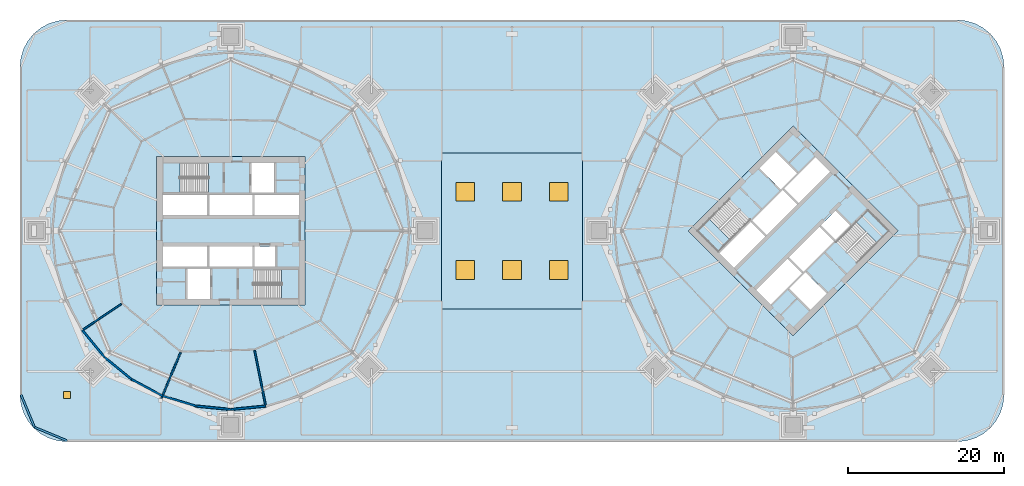
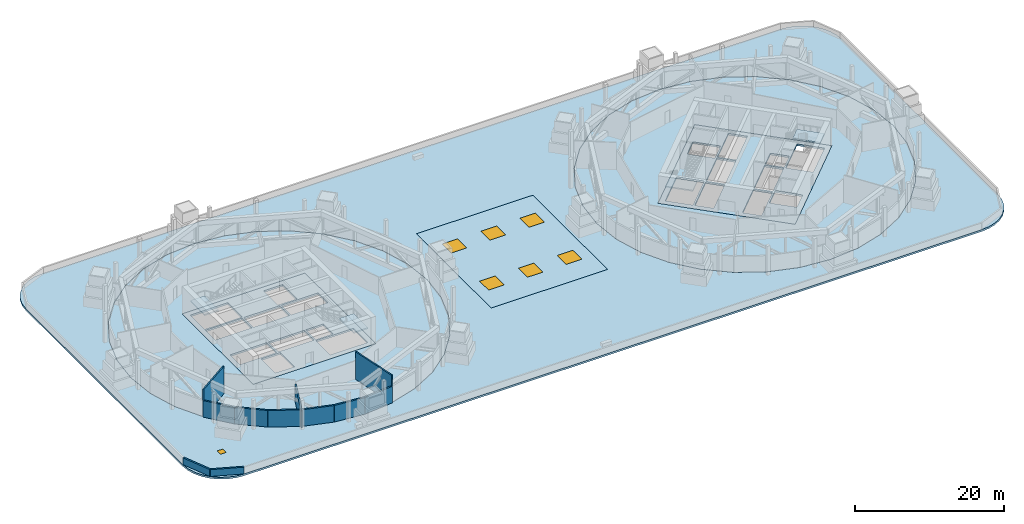
# One storey, part 10 of 21: 11 walls, 10 slabs, 6 windows, 1 door, 7 openings, 4 elements without a shape of their own.
"""IFC4 building model written with IfcOpenShell, lengths in metres."""

import ifcopenshell
import ifcopenshell.guid

model = None  # the IFC model being written
_history = None  # IfcOwnerHistory: only IFC2X3 demands one
_inside = {}  # id of a spatial element -> (the spatial element, [elements in it])
_under = {}  # id of a project, library or spatial element -> (it, [spatial elements below it])
_declared = {}  # id of a project -> (the project, [libraries it declares])
_typed = {}  # id of a type object -> (the type object, [elements of that type])
_made_of = {}  # id of a material, layer set ... -> (it, [elements and type objects made of it])


def new_model(schema):
    """Start an empty IFC model of exactly this schema.

    Asked for "IFC4X3", IfcOpenShell would pick the latest addendum, in which some entities
    have other attributes; the version numbers below select the first issue.
    IFC2X3 requires an IfcOwnerHistory on every rooted entity: one is made here for all.
    """
    global model, _history
    if schema == "IFC4X3":
        model = ifcopenshell.file(schema_version=(4, 3, 0, 0))
    else:
        model = ifcopenshell.file(schema=schema)
    _inside.clear()
    _under.clear()
    _declared.clear()
    _typed.clear()
    _made_of.clear()
    _history = None
    if model.schema == "IFC2X3":
        org = make("IfcOrganization", Name="unknown")
        user = make(
            "IfcPersonAndOrganization",
            ThePerson=make("IfcPerson", FamilyName="unknown"),
            TheOrganization=org,
        )
        app = make(
            "IfcApplication",
            ApplicationDeveloper=org,
            Version="unknown",
            ApplicationFullName="unknown",
            ApplicationIdentifier="unknown",
        )
        _history = make(
            "IfcOwnerHistory",
            OwningUser=user,
            OwningApplication=app,
            ChangeAction="ADDED",
            CreationDate=0,
        )
    return model


def make(cls, **values):
    """One entity of the class cls with the attributes given. An attribute that is None is left unset."""
    return model.create_entity(
        cls, **{name: value for name, value in values.items() if value is not None}
    )


def rooted(cls, **values):
    """An entity with a GlobalId (a new one), such as an element, a storey or a relation."""
    return make(cls, GlobalId=ifcopenshell.guid.new(), OwnerHistory=_history, **values)


def si_unit(unit_type, name, prefix=None):
    """IfcSIUnit, for example si_unit("LENGTHUNIT", "METRE", prefix="MILLI")."""
    return make("IfcSIUnit", UnitType=unit_type, Prefix=prefix, Name=name)


def assignment(units):
    """IfcUnitAssignment: the units of a project."""
    return None if units is None else make("IfcUnitAssignment", Units=units)


def point(xyz):
    """IfcCartesianPoint."""
    return None if xyz is None else make("IfcCartesianPoint", Coordinates=xyz)


def direction(xyz):
    """IfcDirection."""
    return None if xyz is None else make("IfcDirection", DirectionRatios=xyz)


def frame(location, z_axis=None, x_axis=None):
    """IfcAxis2Placement3D, a coordinate frame: its origin and axes. An axis left out is left unset."""
    return make(
        "IfcAxis2Placement3D",
        Location=point(location),
        Axis=direction(z_axis),
        RefDirection=direction(x_axis),
    )


def frame_2d(location, x_axis=None):
    """IfcAxis2Placement2D, a coordinate frame in the plane: its origin and x axis."""
    return make(
        "IfcAxis2Placement2D", Location=point(location), RefDirection=direction(x_axis)
    )


def origin():
    """The frame at (0, 0, 0) with its axes left unset."""
    return frame((0.0, 0.0, 0.0))


def origin_2d():
    """The frame at (0, 0) in the plane with its x axis left unset."""
    return frame_2d((0.0, 0.0))


def place(relative_to, where):
    """IfcLocalPlacement: puts the frame where relative to a parent placement (None: the world)."""
    return make(
        "IfcLocalPlacement", PlacementRelTo=relative_to, RelativePlacement=where
    )


def context(
    kind, dimensions, precision=None, world=None, true_north=None, identifier=None
):
    """IfcGeometricRepresentationContext, for example the 3D "Model" context."""
    return make(
        "IfcGeometricRepresentationContext",
        ContextIdentifier=identifier,
        ContextType=kind,
        CoordinateSpaceDimension=dimensions,
        Precision=precision,
        WorldCoordinateSystem=world,
        TrueNorth=true_north,
    )


def subcontext(parent, identifier, kind, view, scale=None):
    """IfcGeometricRepresentationSubContext, for example "Body" below "Model"."""
    return make(
        "IfcGeometricRepresentationSubContext",
        ContextIdentifier=identifier,
        ContextType=kind,
        ParentContext=parent,
        TargetScale=scale,
        TargetView=view,
    )


def project(units=None, contexts=None):
    """IfcProject with its units and contexts."""
    return rooted(
        "IfcProject",
        Name="project",
        RepresentationContexts=contexts,
        UnitsInContext=assignment(units),
    )


def spatial(cls, under=None, at=None, **own):
    """A site, building, storey or space (cls), placed at a placement, below another one or the project."""
    s = rooted(cls, ObjectPlacement=at, **own)
    if under is not None:
        _under.setdefault(under.id(), (under, []))[1].append(s)
    return s


def polyline(points):
    """IfcPolyline through the points."""
    return make("IfcPolyline", Points=[point(p) for p in points])


def profile(cls, at=None, kind="AREA", **sizes):
    """A parametric profile (cls). Its sizes go by their IFC names, for example OverallWidth=200.0."""
    return make(cls, ProfileType=kind, Position=at, **sizes)


def rectangle(**sizes):
    """IfcRectangleProfileDef."""
    return profile("IfcRectangleProfileDef", **sizes)


def outline(outer, holes=None, kind="AREA"):
    """IfcArbitraryClosedProfileDef: a profile drawn as a closed curve; with holes, ...WithVoids."""
    if holes is None:
        return make("IfcArbitraryClosedProfileDef", ProfileType=kind, OuterCurve=outer)
    return make(
        "IfcArbitraryProfileDefWithVoids",
        ProfileType=kind,
        OuterCurve=outer,
        InnerCurves=holes,
    )


def extrude(swept, where, along, depth):
    """IfcExtrudedAreaSolid: the profile swept, set in the frame where, extruded along a direction by depth."""
    return make(
        "IfcExtrudedAreaSolid",
        SweptArea=swept,
        Position=where,
        ExtrudedDirection=direction(along),
        Depth=depth,
    )


def shape(context_of_items, identifier, shape_type, items):
    """IfcShapeRepresentation: the items that make up one representation, for example the "Body"."""
    return make(
        "IfcShapeRepresentation",
        ContextOfItems=context_of_items,
        RepresentationIdentifier=identifier,
        RepresentationType=shape_type,
        Items=items,
    )


def material(Name=None, Category=None):
    """IfcMaterial."""
    return make("IfcMaterial", Name=Name, Category=Category)


def layer(
    of_material, thickness, ventilated=None, Name=None, Category=None, Priority=None
):
    """IfcMaterialLayer: one layer of a wall or slab, of a material (None: an air gap)."""
    return make(
        "IfcMaterialLayer",
        Material=of_material,
        LayerThickness=thickness,
        IsVentilated=ventilated,
        Name=Name,
        Category=Category,
        Priority=Priority,
    )


def layer_set(layers, Name=None):
    """IfcMaterialLayerSet."""
    return make("IfcMaterialLayerSet", MaterialLayers=layers, LayerSetName=Name)


def made_of(thing, what):
    """Note that an element or type object is made of a material, layer set ...; save() writes the relation."""
    if what is not None:
        _made_of.setdefault(what.id(), (what, []))[1].append(thing)
    return thing


def type_object(cls, material=None, **own):
    """A type object (cls), such as IfcWallType, which elements share."""
    return made_of(rooted(cls, **own), material)


def element(
    cls,
    number,
    at=None,
    inside=None,
    cuts=None,
    type_object=None,
    material=None,
    context=None,
    identifier="Body",
    shape_type=None,
    held_by="IfcProductDefinitionShape",
    body=None,
    shapes=None,
    **own,
):
    """One element of the class cls, such as IfcWall. Its Tag is "e" and its number.

    at: its placement. inside: the storey or other place that contains it. cuts: it is an
    opening in that element (IfcRelVoidsElement). A single representation is given by context,
    identifier, shape_type and body (its items); several are given by shapes. held_by: the class
    of the entity that holds the representations. save() writes the other relations.
    """
    e = rooted(cls, Tag="e%d" % number, ObjectPlacement=at, **own)
    if body is not None:
        shapes = [shape(context, identifier, shape_type, body)]
    if shapes is not None:
        e.Representation = make(held_by, Representations=shapes)
    if inside is not None:
        _inside.setdefault(inside.id(), (inside, []))[1].append(e)
    if cuts is not None:
        rooted(
            "IfcRelVoidsElement", RelatingBuildingElement=cuts, RelatedOpeningElement=e
        )
    if type_object is not None:
        _typed.setdefault(type_object.id(), (type_object, []))[1].append(e)
    return made_of(e, material)


def fill(opening, filler):
    """IfcRelFillsElement: the door or window that sits in an opening."""
    return rooted(
        "IfcRelFillsElement",
        RelatingOpeningElement=opening,
        RelatedBuildingElement=filler,
    )


def aggregate(whole, parts):
    """IfcRelAggregates: a whole, such as a stair, and the parts it consists of."""
    return rooted("IfcRelAggregates", RelatingObject=whole, RelatedObjects=parts)


def save(model, path):
    """Write the relations noted so far, then the file.

    IfcRelAggregates (storeys below a building ...), IfcRelContainedInSpatialStructure (elements
    in a storey), IfcRelDefinesByType, IfcRelAssociatesMaterial and IfcRelDeclares: one each for
    every whole, place, type object, material and project.
    """
    for whole, parts in _under.values():
        aggregate(whole, parts)
    for where, things in _inside.values():
        rooted(
            "IfcRelContainedInSpatialStructure",
            RelatedElements=things,
            RelatingStructure=where,
        )
    for kind, things in _typed.values():
        rooted("IfcRelDefinesByType", RelatedObjects=things, RelatingType=kind)
    for what, things in _made_of.values():
        rooted("IfcRelAssociatesMaterial", RelatedObjects=things, RelatingMaterial=what)
    for by, libraries in _declared.values():
        rooted("IfcRelDeclares", RelatingContext=by, RelatedDefinitions=libraries)
    model.write(path)


model = new_model("IFC4")

# Units and contexts
model_context = context("Model", 3, precision=1e-05, world=origin(), true_north=direction((0.0, 1.0)))
body_context = subcontext(model_context, "Body", "Model", "MODEL_VIEW")
ifc_project = project(units=[si_unit("LENGTHUNIT", "METRE"), si_unit("AREAUNIT", "SQUARE_METRE"), si_unit("VOLUMEUNIT", "CUBIC_METRE"), si_unit("PLANEANGLEUNIT", "RADIAN"), si_unit("MASSUNIT", "GRAM", prefix="KILO")], contexts=[model_context])

# Site, building, storey
site_placement = place(None, origin())
site = spatial("IfcSite", under=ifc_project, at=site_placement, CompositionType="ELEMENT")
building_placement = place(site_placement, origin())
building = spatial("IfcBuilding", under=site, at=building_placement, Name="Ogive Gate Towers", CompositionType="ELEMENT")
storey_placement = place(building_placement, frame((0.0, 0.0, 27.60009765625)))
storey = spatial("IfcBuildingStorey", under=building, at=storey_placement, Name="L05", CompositionType="ELEMENT", Elevation=27.60009765625)

# Slabs
ifc_material_1 = material(Name="Concrete C40/50", Category="concrete")
ifc_layer_1 = layer(ifc_material_1, 0.300048828125)
ifc_layer_set_1 = layer_set([ifc_layer_1], Name="Core slab C40/50 300 mm")
slab_type_1 = type_object("IfcSlabType", Name="Core slab C40/50 300 mm", PredefinedType="FLOOR", material=ifc_layer_set_1)
slab_1_placement = place(storey_placement, frame((0.0, 0.0, -0.300048828125)))
element("IfcSlab", 1, at=slab_1_placement, inside=storey, type_object=slab_type_1, Name="T1 L05 core slab", PredefinedType="FLOOR", context=body_context, shape_type="SweptSolid", body=[
    extrude(outline(polyline([(-26.5, 9.5), (-26.5, -9.5), (-45.5, -9.5), (-45.5, 9.5), (-26.5, 9.5)]), holes=[polyline([(-39.02490234375, 4.625), (-44.699951171875, 4.625), (-44.699951171875, 2.0), (-39.02490234375, 2.0), (-39.02490234375, 4.625)]), polyline([(-33.22509765625, 2.0), (-33.22509765625, 4.625), (-38.77490234375, 4.625), (-38.77490234375, 2.0), (-33.22509765625, 2.0)]), polyline([(-32.97509765625, 2.0), (-27.300048828125, 2.0), (-27.300048828125, 4.625), (-32.97509765625, 4.625), (-32.97509765625, 2.0)]), polyline([(-44.699951171875, -2.0), (-44.699951171875, -4.625), (-39.02490234375, -4.625), (-39.02490234375, -2.0), (-44.699951171875, -2.0)]), polyline([(-33.22509765625, -2.0), (-38.77490234375, -2.0), (-38.77490234375, -4.625), (-33.22509765625, -4.625), (-33.22509765625, -2.0)]), polyline([(-30.324951171875, -4.625), (-30.324951171875, -2.0), (-32.97509765625, -2.0), (-32.97509765625, -4.625), (-30.324951171875, -4.625)]), polyline([(-33.375, 4.875), (-30.425048828125, 4.875), (-30.425048828125, 8.699951171875), (-33.375, 8.699951171875), (-33.375, 4.875)]), polyline([(-41.574951171875, -4.875), (-41.574951171875, -8.699951171875), (-38.625, -8.699951171875), (-38.625, -4.875), (-41.574951171875, -4.875)]), polyline([(-44.699951171875, 4.875), (-38.885009765625, 4.875), (-38.885009765625, 8.699951171875), (-44.699951171875, 8.699951171875), (-44.699951171875, 4.875)]), polyline([(-27.300048828125, -8.699951171875), (-27.300048828125, -4.875), (-33.114990234375, -4.875), (-33.114990234375, -8.699951171875), (-27.300048828125, -8.699951171875)])]), origin(), (0.0, 0.0, 1.0), 0.300048828125),
])
slab_2_placement = place(storey_placement, frame((0.0, 0.0, -0.300048828125)))
element("IfcSlab", 2, at=slab_2_placement, inside=storey, type_object=slab_type_1, Name="T2 L05 core slab", PredefinedType="FLOOR", context=body_context, shape_type="SweptSolid", body=[
    extrude(outline(polyline([(36.0, 13.43505859375), (49.43505859375, 0.0), (36.0, -13.43505859375), (22.56494140625, 0.0), (36.0, 13.43505859375)]), holes=[polyline([(30.590576171875, 1.13134765625), (26.577880859375, -2.881591796875), (28.43408203125, -4.737548828125), (32.44677734375, -0.724853515625), (30.590576171875, 1.13134765625)]), polyline([(36.548095703125, 3.37646484375), (34.69189453125, 5.232666015625), (30.767333984375, 1.30810546875), (32.62353515625, -0.548095703125), (36.548095703125, 3.37646484375)]), polyline([(36.724853515625, 3.55322265625), (40.737548828125, 7.56591796875), (38.881591796875, 9.422119140625), (34.86865234375, 5.409423828125), (36.724853515625, 3.55322265625)]), polyline([(31.262451171875, -7.56591796875), (33.118408203125, -9.422119140625), (37.13134765625, -5.409423828125), (35.275146484375, -3.55322265625), (31.262451171875, -7.56591796875)]), polyline([(39.37646484375, 0.548095703125), (35.451904296875, -3.37646484375), (37.30810546875, -5.232666015625), (41.232666015625, -1.30810546875), (39.37646484375, 0.548095703125)]), polyline([(43.283203125, 0.742431640625), (41.427001953125, 2.5986328125), (39.55322265625, 0.724853515625), (41.409423828125, -1.13134765625), (43.283203125, 0.742431640625)]), polyline([(34.408935546875, 5.30322265625), (36.4951171875, 7.389404296875), (33.790283203125, 10.093994140625), (31.704345703125, 8.008056640625), (34.408935546875, 5.30322265625)]), polyline([(35.5048828125, -7.389404296875), (38.209716796875, -10.093994140625), (40.295654296875, -8.008056640625), (37.591064453125, -5.30322265625), (35.5048828125, -7.389404296875)]), polyline([(26.40087890625, -2.70458984375), (30.512939453125, 1.406982421875), (27.80810546875, 4.11181640625), (23.6962890625, 0.0), (26.40087890625, -2.70458984375)]), polyline([(48.3037109375, 0.0), (45.59912109375, 2.70458984375), (41.487060546875, -1.406982421875), (44.19189453125, -4.11181640625), (48.3037109375, 0.0)])]), origin(), (0.0, 0.0, 1.0), 0.300048828125),
])
ifc_material_2 = material(Name="Concrete C35/45", Category="concrete")
ifc_layer_2 = layer(ifc_material_2, 0.300048828125)
ifc_layer_set_2 = layer_set([ifc_layer_2], Name="Floor slab 300")
slab_type_2 = type_object("IfcSlabType", Name="Floor slab 300", PredefinedType="FLOOR", material=ifc_layer_set_2)
slab_3_placement = place(storey_placement, frame((0.0, 0.0, -0.300048828125)))
element("IfcSlab", 3, at=slab_3_placement, inside=storey, type_object=slab_type_2, Name="T1/L05/SSL001", PredefinedType="FLOOR", context=body_context, shape_type="SweptSolid", body=[
    extrude(outline(polyline([(-13.5400390625, -4.467529296875), (-13.10009765625, 0.0), (-13.5400390625, 4.467529296875), (-14.84326171875, 8.763427734375), (-16.959228515625, 12.72265625), (-19.807373046875, 16.192626953125), (-23.27734375, 19.040771484375), (-27.236572265625, 21.15673828125), (-31.532470703125, 22.4599609375), (-36.0, 22.89990234375), (-40.467529296875, 22.4599609375), (-44.763427734375, 21.15673828125), (-48.72265625, 19.040771484375), (-52.192626953125, 16.192626953125), (-55.040771484375, 12.72265625), (-57.15673828125, 8.763427734375), (-58.4599609375, 4.467529296875), (-58.89990234375, 0.0), (-58.4599609375, -4.467529296875), (-57.15673828125, -8.763427734375), (-55.040771484375, -12.72265625), (-52.192626953125, -16.192626953125), (-48.72265625, -19.040771484375), (-44.763427734375, -21.15673828125), (-40.467529296875, -22.4599609375), (-36.0, -22.89990234375), (-31.532470703125, -22.4599609375), (-27.236572265625, -21.15673828125), (-23.27734375, -19.040771484375), (-19.807373046875, -16.192626953125), (-16.959228515625, -12.72265625), (-14.84326171875, -8.763427734375), (-13.5400390625, -4.467529296875)]), holes=[polyline([(-26.5, -9.5), (-45.5, -9.5), (-45.5, 9.5), (-26.5, 9.5), (-26.5, -9.5)])]), origin(), (0.0, 0.0, 1.0), 0.300048828125),
])
slab_4_placement = place(storey_placement, frame((0.0, 0.0, -0.300048828125)))
element("IfcSlab", 4, at=slab_4_placement, inside=storey, type_object=slab_type_2, Name="T2/L05/SSL001", PredefinedType="FLOOR", context=body_context, shape_type="SweptSolid", body=[
    extrude(outline(polyline([(58.4599609375, -4.467529296875), (58.89990234375, 0.0), (58.4599609375, 4.467529296875), (57.15673828125, 8.763427734375), (55.040771484375, 12.72265625), (52.192626953125, 16.192626953125), (48.72265625, 19.040771484375), (44.763427734375, 21.15673828125), (40.467529296875, 22.4599609375), (36.0, 22.89990234375), (31.532470703125, 22.4599609375), (27.236572265625, 21.15673828125), (23.27734375, 19.040771484375), (19.807373046875, 16.192626953125), (16.959228515625, 12.72265625), (14.84326171875, 8.763427734375), (13.5400390625, 4.467529296875), (13.10009765625, 0.0), (13.5400390625, -4.467529296875), (14.84326171875, -8.763427734375), (16.959228515625, -12.72265625), (19.807373046875, -16.192626953125), (23.27734375, -19.040771484375), (27.236572265625, -21.15673828125), (31.532470703125, -22.4599609375), (36.0, -22.89990234375), (40.467529296875, -22.4599609375), (44.763427734375, -21.15673828125), (48.72265625, -19.040771484375), (52.192626953125, -16.192626953125), (55.040771484375, -12.72265625), (57.15673828125, -8.763427734375), (58.4599609375, -4.467529296875)]), holes=[polyline([(49.43505859375, 0.0), (36.0, -13.43505859375), (22.56494140625, 0.0), (36.0, 13.43505859375), (49.43505859375, 0.0)])]), origin(), (0.0, 0.0, 1.0), 0.300048828125),
])

# Slab, opening, door
ifc_layer_3 = layer(ifc_material_2, 0.300048828125)
ifc_layer_set_3 = layer_set([ifc_layer_3], Name="Green roof slab 300")
slab_type_3 = type_object("IfcSlabType", Name="Green roof slab 300", PredefinedType="ROOF", material=ifc_layer_set_3)
slab_5_placement = place(storey_placement, frame((0.0, 0.0, -0.300048828125)))
slab_5 = element("IfcSlab", 5, at=slab_5_placement, inside=storey, type_object=slab_type_3, Name="PD/L05/SSL001", PredefinedType="ROOF", context=body_context, shape_type="SweptSolid", body=[
    extrude(outline(polyline([(-59.296142578125, -26.543212890625), (-58.170654296875, -26.884765625), (-57.0, -27.0), (57.0, -27.0), (58.170654296875, -26.884765625), (59.296142578125, -26.543212890625), (60.33349609375, -25.98876953125), (61.24267578125, -25.24267578125), (61.98876953125, -24.33349609375), (62.543212890625, -23.296142578125), (62.884765625, -22.170654296875), (63.0, -21.0), (63.0, 21.0), (62.884765625, 22.170654296875), (62.543212890625, 23.296142578125), (61.98876953125, 24.33349609375), (61.24267578125, 25.24267578125), (60.33349609375, 25.98876953125), (59.296142578125, 26.543212890625), (58.170654296875, 26.884765625), (57.0, 27.0), (-57.0, 27.0), (-58.170654296875, 26.884765625), (-59.296142578125, 26.543212890625), (-60.33349609375, 25.98876953125), (-61.24267578125, 25.24267578125), (-61.98876953125, 24.33349609375), (-62.543212890625, 23.296142578125), (-62.884765625, 22.170654296875), (-63.0, 21.0), (-63.0, -21.0), (-62.884765625, -22.170654296875), (-62.543212890625, -23.296142578125), (-61.98876953125, -24.33349609375), (-61.24267578125, -25.24267578125), (-60.33349609375, -25.98876953125), (-59.296142578125, -26.543212890625)]), holes=[polyline([(-14.84326171875, 8.763427734375), (-13.5400390625, 4.467529296875), (-13.10009765625, 0.0), (-13.5400390625, -4.467529296875), (-14.84326171875, -8.763427734375), (-16.959228515625, -12.72265625), (-19.807373046875, -16.192626953125), (-23.27734375, -19.040771484375), (-27.236572265625, -21.15673828125), (-31.532470703125, -22.4599609375), (-36.0, -22.89990234375), (-40.467529296875, -22.4599609375), (-44.763427734375, -21.15673828125), (-48.72265625, -19.040771484375), (-52.192626953125, -16.192626953125), (-55.040771484375, -12.72265625), (-57.15673828125, -8.763427734375), (-58.4599609375, -4.467529296875), (-58.89990234375, 0.0), (-58.4599609375, 4.467529296875), (-57.15673828125, 8.763427734375), (-55.040771484375, 12.72265625), (-52.192626953125, 16.192626953125), (-48.72265625, 19.040771484375), (-44.763427734375, 21.15673828125), (-40.467529296875, 22.4599609375), (-36.0, 22.89990234375), (-31.532470703125, 22.4599609375), (-27.236572265625, 21.15673828125), (-23.27734375, 19.040771484375), (-19.807373046875, 16.192626953125), (-16.959228515625, 12.72265625), (-14.84326171875, 8.763427734375)]), polyline([(57.15673828125, 8.763427734375), (58.4599609375, 4.467529296875), (58.89990234375, 0.0), (58.4599609375, -4.467529296875), (57.15673828125, -8.763427734375), (55.040771484375, -12.72265625), (52.192626953125, -16.192626953125), (48.72265625, -19.040771484375), (44.763427734375, -21.15673828125), (40.467529296875, -22.4599609375), (36.0, -22.89990234375), (31.532470703125, -22.4599609375), (27.236572265625, -21.15673828125), (23.27734375, -19.040771484375), (19.807373046875, -16.192626953125), (16.959228515625, -12.72265625), (14.84326171875, -8.763427734375), (13.5400390625, -4.467529296875), (13.10009765625, 0.0), (13.5400390625, 4.467529296875), (14.84326171875, 8.763427734375), (16.959228515625, 12.72265625), (19.807373046875, 16.192626953125), (23.27734375, 19.040771484375), (27.236572265625, 21.15673828125), (31.532470703125, 22.4599609375), (36.0, 22.89990234375), (40.467529296875, 22.4599609375), (44.763427734375, 21.15673828125), (48.72265625, 19.040771484375), (52.192626953125, 16.192626953125), (55.040771484375, 12.72265625), (57.15673828125, 8.763427734375)]), polyline([(9.0, 10.0), (9.0, -10.0), (-9.0, -10.0), (-9.0, 10.0), (9.0, 10.0)]), polyline([(-56.550048828125, -21.449951171875), (-57.449951171875, -21.449951171875), (-57.449951171875, -20.550048828125), (-56.550048828125, -20.550048828125), (-56.550048828125, -21.449951171875)])]), origin(), (0.0, 0.0, 1.0), 0.300048828125),
])
opening_1_placement = place(slab_5_placement, frame((-57.0, -21.0, -0.010009765625)))
opening_1 = element("IfcOpeningElement", 6, at=opening_1_placement, cuts=slab_5, Name="Opening ED6-L05-01", PredefinedType="OPENING", context=body_context, shape_type="SweptSolid", body=[
    extrude(rectangle(XDim=0.89990234375, YDim=0.89990234375, at=origin_2d()), origin(), (0.0, 0.0, 1.0), 0.320068359375),
])
ifc_material_3 = material(Name="Galvanised steel", Category="steel")
door_type = type_object("IfcDoorType", Name="Roof hatch 900 x 900", OperationType="NOTDEFINED", PredefinedType="TRAPDOOR", material=ifc_material_3)
door_placement = place(opening_1_placement, frame((0.0, 0.0, 0.260009765625)))
door = element("IfcDoor", 7, at=door_placement, inside=storey, type_object=door_type, Name="Roof hatch", OperationType="SINGLE_SWING_LEFT", OverallHeight=0.89990234375, OverallWidth=0.89990234375, PredefinedType="TRAPDOOR", context=body_context, shape_type="SweptSolid", body=[
    extrude(rectangle(XDim=0.89990234375, YDim=0.89990234375, at=origin_2d()), origin(), (0.0, 0.0, 1.0), 0.050048828125),
])
fill(opening_1, door)

# Slab, openings, windows
ifc_material_4 = material(Name="Reinforced concrete C40/50", Category="concrete")
ifc_layer_4 = layer(ifc_material_4, 0.300048828125)
ifc_layer_set_4 = layer_set([ifc_layer_4], Name="Nave roof")
slab_type_4 = type_object("IfcSlabType", Name="Nave roof", PredefinedType="ROOF", material=ifc_layer_set_4)
slab_6_placement = place(storey_placement, frame((0.0, 0.0, -0.300048828125)))
slab_6 = element("IfcSlab", 8, at=slab_6_placement, inside=storey, type_object=slab_type_4, Name="Nave roof", PredefinedType="ROOF", context=body_context, shape_type="SweptSolid", body=[
    extrude(outline(polyline([(-9.0, -10.0), (9.0, -10.0), (9.0, 10.0), (-9.0, 10.0), (-9.0, -10.0)])), origin(), (0.0, 0.0, 1.0), 0.300048828125),
])
opening_2_placement = place(slab_6_placement, frame((-6.0, -5.0, -0.010009765625)))
opening_2 = element("IfcOpeningElement", 9, at=opening_2_placement, cuts=slab_6, Name="Opening WN6", PredefinedType="OPENING", context=body_context, shape_type="SweptSolid", body=[
    extrude(rectangle(XDim=2.39990234375, YDim=2.39990234375, at=origin_2d()), origin(), (0.0, 0.0, 1.0), 0.320068359375),
])
opening_3_placement = place(slab_6_placement, frame((-6.0, 5.0, -0.010009765625)))
opening_3 = element("IfcOpeningElement", 10, at=opening_3_placement, cuts=slab_6, Name="Opening WN6", PredefinedType="OPENING", context=body_context, shape_type="SweptSolid", body=[
    extrude(rectangle(XDim=2.39990234375, YDim=2.39990234375, at=origin_2d()), origin(), (0.0, 0.0, 1.0), 0.320068359375),
])
opening_4_placement = place(slab_6_placement, frame((0.0, -5.0, -0.010009765625)))
opening_4 = element("IfcOpeningElement", 11, at=opening_4_placement, cuts=slab_6, Name="Opening WN6", PredefinedType="OPENING", context=body_context, shape_type="SweptSolid", body=[
    extrude(rectangle(XDim=2.39990234375, YDim=2.39990234375, at=origin_2d()), origin(), (0.0, 0.0, 1.0), 0.320068359375),
])
opening_5_placement = place(slab_6_placement, frame((0.0, 5.0, -0.010009765625)))
opening_5 = element("IfcOpeningElement", 12, at=opening_5_placement, cuts=slab_6, Name="Opening WN6", PredefinedType="OPENING", context=body_context, shape_type="SweptSolid", body=[
    extrude(rectangle(XDim=2.39990234375, YDim=2.39990234375, at=origin_2d()), origin(), (0.0, 0.0, 1.0), 0.320068359375),
])
opening_6_placement = place(slab_6_placement, frame((6.0, -5.0, -0.010009765625)))
opening_6 = element("IfcOpeningElement", 13, at=opening_6_placement, cuts=slab_6, Name="Opening WN6", PredefinedType="OPENING", context=body_context, shape_type="SweptSolid", body=[
    extrude(rectangle(XDim=2.39990234375, YDim=2.39990234375, at=origin_2d()), origin(), (0.0, 0.0, 1.0), 0.320068359375),
])
opening_7_placement = place(slab_6_placement, frame((6.0, 5.0, -0.010009765625)))
opening_7 = element("IfcOpeningElement", 14, at=opening_7_placement, cuts=slab_6, Name="Opening WN6", PredefinedType="OPENING", context=body_context, shape_type="SweptSolid", body=[
    extrude(rectangle(XDim=2.39990234375, YDim=2.39990234375, at=origin_2d()), origin(), (0.0, 0.0, 1.0), 0.320068359375),
])
ifc_material_5 = material(Name="Clear glass", Category="glass")
window_type = type_object("IfcWindowType", Name="Nave rooflight 2400 x 2400", PartitioningType="SINGLE_PANEL", PredefinedType="SKYLIGHT", material=ifc_material_5)
window_1_placement = place(opening_2_placement, frame((0.0, 0.0, 0.260009765625)))
window_1 = element("IfcWindow", 15, at=window_1_placement, inside=storey, type_object=window_type, Name="Nave rooflight", OverallHeight=2.39990234375, OverallWidth=2.39990234375, PartitioningType="SINGLE_PANEL", PredefinedType="SKYLIGHT", context=body_context, shape_type="SweptSolid", body=[
    extrude(rectangle(XDim=2.39990234375, YDim=2.39990234375, at=origin_2d()), origin(), (0.0, 0.0, 1.0), 0.050048828125),
])
fill(opening_2, window_1)
window_2_placement = place(opening_3_placement, frame((0.0, 0.0, 0.260009765625)))
window_2 = element("IfcWindow", 16, at=window_2_placement, inside=storey, type_object=window_type, Name="Nave rooflight", OverallHeight=2.39990234375, OverallWidth=2.39990234375, PartitioningType="SINGLE_PANEL", PredefinedType="SKYLIGHT", context=body_context, shape_type="SweptSolid", body=[
    extrude(rectangle(XDim=2.39990234375, YDim=2.39990234375, at=origin_2d()), origin(), (0.0, 0.0, 1.0), 0.050048828125),
])
fill(opening_3, window_2)
window_3_placement = place(opening_4_placement, frame((0.0, 0.0, 0.260009765625)))
window_3 = element("IfcWindow", 17, at=window_3_placement, inside=storey, type_object=window_type, Name="Nave rooflight", OverallHeight=2.39990234375, OverallWidth=2.39990234375, PartitioningType="SINGLE_PANEL", PredefinedType="SKYLIGHT", context=body_context, shape_type="SweptSolid", body=[
    extrude(rectangle(XDim=2.39990234375, YDim=2.39990234375, at=origin_2d()), origin(), (0.0, 0.0, 1.0), 0.050048828125),
])
fill(opening_4, window_3)
window_4_placement = place(opening_5_placement, frame((0.0, 0.0, 0.260009765625)))
window_4 = element("IfcWindow", 18, at=window_4_placement, inside=storey, type_object=window_type, Name="Nave rooflight", OverallHeight=2.39990234375, OverallWidth=2.39990234375, PartitioningType="SINGLE_PANEL", PredefinedType="SKYLIGHT", context=body_context, shape_type="SweptSolid", body=[
    extrude(rectangle(XDim=2.39990234375, YDim=2.39990234375, at=origin_2d()), origin(), (0.0, 0.0, 1.0), 0.050048828125),
])
fill(opening_5, window_4)
window_5_placement = place(opening_6_placement, frame((0.0, 0.0, 0.260009765625)))
window_5 = element("IfcWindow", 19, at=window_5_placement, inside=storey, type_object=window_type, Name="Nave rooflight", OverallHeight=2.39990234375, OverallWidth=2.39990234375, PartitioningType="SINGLE_PANEL", PredefinedType="SKYLIGHT", context=body_context, shape_type="SweptSolid", body=[
    extrude(rectangle(XDim=2.39990234375, YDim=2.39990234375, at=origin_2d()), origin(), (0.0, 0.0, 1.0), 0.050048828125),
])
fill(opening_6, window_5)
window_6_placement = place(opening_7_placement, frame((0.0, 0.0, 0.260009765625)))
window_6 = element("IfcWindow", 20, at=window_6_placement, inside=storey, type_object=window_type, Name="Nave rooflight", OverallHeight=2.39990234375, OverallWidth=2.39990234375, PartitioningType="SINGLE_PANEL", PredefinedType="SKYLIGHT", context=body_context, shape_type="SweptSolid", body=[
    extrude(rectangle(XDim=2.39990234375, YDim=2.39990234375, at=origin_2d()), origin(), (0.0, 0.0, 1.0), 0.050048828125),
])
fill(opening_7, window_6)

# Stair, slab
stair_type = type_object("IfcStairType", Name="Escape stair 1840 wide", PredefinedType="HALF_TURN_STAIR", material=ifc_material_1)
stair_1_placement = place(storey_placement, origin())
stair_1 = element("IfcStair", 21, at=stair_1_placement, inside=storey, type_object=stair_type, Name="L05 Escape stair 1", PredefinedType="HALF_TURN_STAIR")
ifc_layer_5 = layer(ifc_material_1, 0.199951171875)
ifc_layer_set_5 = layer_set([ifc_layer_5], Name="Stair landing 200 mm")
slab_type_5 = type_object("IfcSlabType", Name="Stair landing 200 mm", PredefinedType="LANDING", material=ifc_layer_set_5)
slab_7_placement = place(storey_placement, frame((0.0, 0.0, 2.199951171875)))
slab_7 = element("IfcSlab", 22, at=slab_7_placement, type_object=slab_type_5, Name="ST1 landing 1", PredefinedType="LANDING", context=body_context, shape_type="SweptSolid", body=[
    extrude(outline(polyline([(-42.5048828125, 8.699951171875), (-44.699951171875, 8.699951171875), (-44.699951171875, 4.875), (-42.5048828125, 4.875), (-42.5048828125, 8.699951171875)])), origin(), (0.0, 0.0, 1.0), 0.199951171875),
])
aggregate(stair_1, [slab_7])

stair_2_placement = place(storey_placement, origin())
stair_2 = element("IfcStair", 23, at=stair_2_placement, inside=storey, type_object=stair_type, Name="L05 Escape stair 2", PredefinedType="HALF_TURN_STAIR")
slab_8_placement = place(storey_placement, frame((0.0, 0.0, 2.199951171875)))
slab_8 = element("IfcSlab", 24, at=slab_8_placement, type_object=slab_type_5, Name="ST2 landing 1", PredefinedType="LANDING", context=body_context, shape_type="SweptSolid", body=[
    extrude(outline(polyline([(-29.4951171875, -8.699951171875), (-27.300048828125, -8.699951171875), (-27.300048828125, -4.875), (-29.4951171875, -4.875), (-29.4951171875, -8.699951171875)])), origin(), (0.0, 0.0, 1.0), 0.199951171875),
])
aggregate(stair_2, [slab_8])

stair_3_placement = place(storey_placement, origin())
stair_3 = element("IfcStair", 25, at=stair_3_placement, inside=storey, type_object=stair_type, Name="L05 Escape stair 1", PredefinedType="HALF_TURN_STAIR")
slab_9_placement = place(storey_placement, frame((0.0, 0.0, 2.199951171875)))
slab_9 = element("IfcSlab", 26, at=slab_9_placement, type_object=slab_type_5, Name="ST1 landing 1", PredefinedType="LANDING", context=body_context, shape_type="SweptSolid", body=[
    extrude(outline(polyline([(25.24853515625, 1.552001953125), (23.6962890625, 0.0), (26.401123046875, -2.70458984375), (27.953125, -1.152587890625), (25.24853515625, 1.552001953125)])), origin(), (0.0, 0.0, 1.0), 0.199951171875),
])
aggregate(stair_3, [slab_9])

stair_4_placement = place(storey_placement, origin())
stair_4 = element("IfcStair", 27, at=stair_4_placement, inside=storey, type_object=stair_type, Name="L05 Escape stair 2", PredefinedType="HALF_TURN_STAIR")
slab_10_placement = place(storey_placement, frame((0.0, 0.0, 2.199951171875)))
slab_10 = element("IfcSlab", 28, at=slab_10_placement, type_object=slab_type_5, Name="ST2 landing 1", PredefinedType="LANDING", context=body_context, shape_type="SweptSolid", body=[
    extrude(outline(polyline([(46.75146484375, -1.552001953125), (48.3037109375, 0.0), (45.598876953125, 2.70458984375), (44.046875, 1.152587890625), (46.75146484375, -1.552001953125)])), origin(), (0.0, 0.0, 1.0), 0.199951171875),
])
aggregate(stair_4, [slab_10])

# Walls
ifc_material_6 = material(Name="Fire-rated block compartment wall")
ifc_layer_6 = layer(ifc_material_6, 0.199951171875)
ifc_layer_set_6 = layer_set([ifc_layer_6], Name="Compartment wall 200")
wall_type_1 = type_object("IfcWallType", Name="Compartment wall 200", PredefinedType="PARTITIONING", material=ifc_layer_set_6)
wall_1_placement = place(storey_placement, frame((-55.040283203125, -12.722412109375, 0.0), z_axis=(0.0, 0.0, 1.0), x_axis=(0.831453729653, 0.555594002349, 0.0)))
element("IfcWall", 29, at=wall_1_placement, inside=storey, type_object=wall_type_1, Name="Partition T1-L05-008", PredefinedType="PARTITIONING", context=body_context, shape_type="SweptSolid", body=[
    extrude(rectangle(XDim=6.049072265625, YDim=0.199951171875, at=frame_2d((3.0244140625, 0.0))), origin(), (0.0, 0.0, 1.0), 4.5),
])
wall_2_placement = place(storey_placement, frame((-44.885986328125, -21.452880859375, 0.0), z_axis=(0.0, 0.0, 1.0), x_axis=(0.382663217178, 0.923887905657, 0.0)))
element("IfcWall", 30, at=wall_2_placement, inside=storey, type_object=wall_type_1, Name="Partition T1-L05-009", PredefinedType="PARTITIONING", context=body_context, shape_type="SweptSolid", body=[
    extrude(rectangle(XDim=6.369873046875, YDim=0.199951171875, at=frame_2d((3.18505859375, 0.0))), origin(), (0.0, 0.0, 1.0), 2.699951171875),
])
wall_3_placement = place(storey_placement, frame((-31.532470703125, -22.45947265625, 0.0), z_axis=(0.0, 0.0, 1.0), x_axis=(-0.195106138354, 0.980782134205, 0.0)))
element("IfcWall", 31, at=wall_3_placement, inside=storey, type_object=wall_type_1, Name="Partition T1-L05-010", PredefinedType="PARTITIONING", context=body_context, shape_type="SweptSolid", body=[
    extrude(rectangle(XDim=7.299072265625, YDim=0.199951171875, at=frame_2d((3.6494140625, 0.0))), origin(), (0.0, 0.0, 1.0), 4.5),
])
ifc_material_7 = material(Name="Precast concrete C40/50", Category="concrete")
ifc_layer_7 = layer(ifc_material_7, 0.25)
ifc_layer_set_7 = layer_set([ifc_layer_7], Name="Parapet wall 1100")
wall_type_2 = type_object("IfcWallType", Name="Parapet wall 1100", PredefinedType="PARAPET", material=ifc_layer_set_7)
for number, where, z_axis, x_axis, name in (
    (32, (-62.875, -20.97509765625, 0.0), (0.0, 0.0, 1.0), (0.382679678022, -0.923881087602, 0.0), "Parapet wall"),
    (33, (-61.14697265625, -25.14697265625, 0.0), (0.0, 0.0, 1.0), (0.923881087602, -0.382679678022, 0.0), "Parapet wall"),
):
    element("IfcWall", number, at=place(storey_placement, frame(where, z_axis=z_axis, x_axis=x_axis)), inside=storey, type_object=wall_type_2, Name=name, PredefinedType="PARAPET", context=body_context, shape_type="SweptSolid", body=[
        extrude(rectangle(XDim=4.515625, YDim=0.25, at=frame_2d((2.2578125, 0.0))), origin(), (0.0, 0.0, 1.0), 1.099853515625),
    ])
ifc_material_8 = material(Name="Pale metal aluminium louvre", Category="aluminium")
ifc_layer_8 = layer(ifc_material_8, 0.25)
ifc_layer_set_8 = layer_set([ifc_layer_8], Name="Plant louvre wall")
wall_type_3 = type_object("IfcWallType", Name="Plant louvre wall", PredefinedType="SOLIDWALL", material=ifc_layer_set_8)
for number, where, z_axis, x_axis, name in (
    (34, (-55.019775390625, -12.70849609375, 0.0), (0.0, 0.0, 1.0), (0.634366667709, -0.773032296155, 0.0), "Plant louvre wall"),
    (35, (-52.175048828125, -16.175048828125, 0.0), (0.0, 0.0, 1.0), (0.773032296155, -0.634366667709, 0.0), "Plant louvre wall"),
):
    element("IfcWall", number, at=place(storey_placement, frame(where, z_axis=z_axis, x_axis=x_axis)), inside=storey, type_object=wall_type_3, Name=name, PredefinedType="SOLIDWALL", context=body_context, shape_type="SweptSolid", body=[
        extrude(rectangle(XDim=4.484375, YDim=0.25, at=frame_2d((2.2421875, 0.0))), origin(), (0.0, 0.0, 1.0), 2.699951171875),
    ])
wall_4_placement = place(storey_placement, frame((-48.70849609375, -19.019775390625, 0.0), z_axis=(0.0, 0.0, 1.0), x_axis=(0.88192152194, -0.471396254905, 0.0)))
element("IfcWall", 36, at=wall_4_placement, inside=storey, type_object=wall_type_3, Name="Plant louvre wall", PredefinedType="SOLIDWALL", context=body_context, shape_type="SweptSolid", body=[
    extrude(rectangle(XDim=4.484130859375, YDim=0.25, at=frame_2d((2.2421875, 0.0))), origin(), (0.0, 0.0, 1.0), 2.699951171875),
])
for number, where, z_axis, x_axis, name in (
    (37, (-44.75390625, -21.133544921875, 0.0), (0.0, 0.0, 1.0), (0.956939196296, -0.290288433444, 0.0), "Plant louvre wall"),
    (38, (-40.462646484375, -22.435302734375, 0.0), (0.0, 0.0, 1.0), (0.995181137864, -0.098053571273, 0.0), "Plant louvre wall"),
    (39, (-36.0, -22.875, 0.0), (0.0, 0.0, 1.0), (0.995181137864, 0.098053571273, 0.0), "Plant louvre wall"),
):
    element("IfcWall", number, at=place(storey_placement, frame(where, z_axis=z_axis, x_axis=x_axis)), inside=storey, type_object=wall_type_3, Name=name, PredefinedType="SOLIDWALL", context=body_context, shape_type="SweptSolid", body=[
        extrude(rectangle(XDim=4.484375, YDim=0.25, at=frame_2d((2.2421875, 0.0))), origin(), (0.0, 0.0, 1.0), 2.699951171875),
    ])

save(model, "model.ifc")
